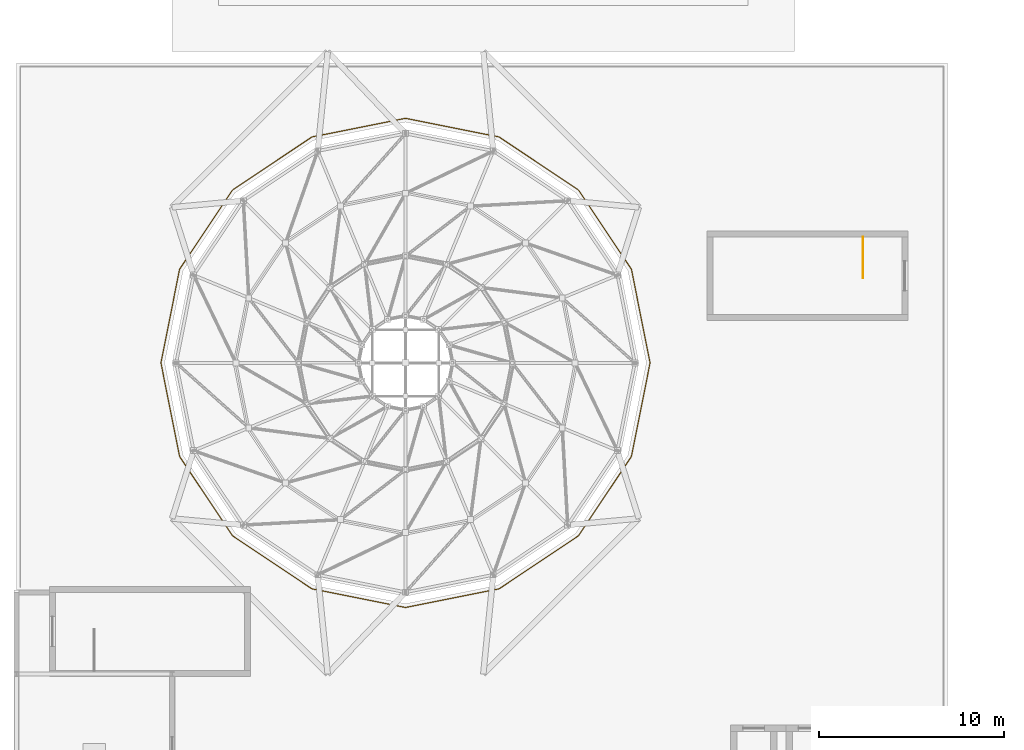
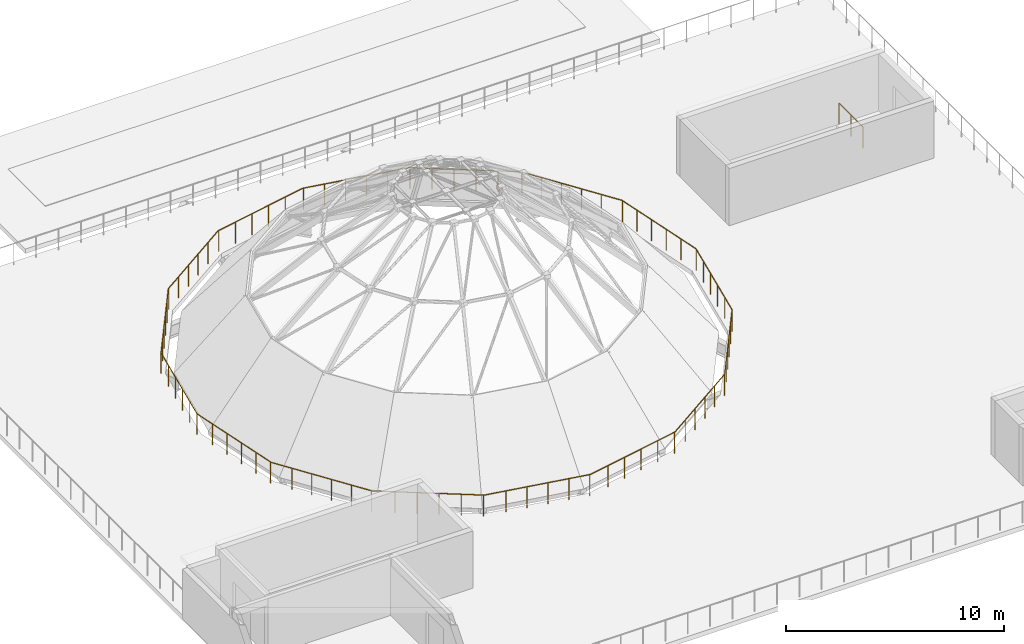
# One storey, part 35 of 40: 2 railings.
"""IFC4 building model written with IfcOpenShell, lengths in metres."""

import ifcopenshell
import ifcopenshell.guid

model = None  # the IFC model being written
_history = None  # IfcOwnerHistory: only IFC2X3 demands one
_inside = {}  # id of a spatial element -> (the spatial element, [elements in it])
_under = {}  # id of a project, library or spatial element -> (it, [spatial elements below it])
_declared = {}  # id of a project -> (the project, [libraries it declares])
_typed = {}  # id of a type object -> (the type object, [elements of that type])
_made_of = {}  # id of a material, layer set ... -> (it, [elements and type objects made of it])


def new_model(schema):
    """Start an empty IFC model of exactly this schema.

    Asked for "IFC4X3", IfcOpenShell would pick the latest addendum, in which some entities
    have other attributes; the version numbers below select the first issue.
    IFC2X3 requires an IfcOwnerHistory on every rooted entity: one is made here for all.
    """
    global model, _history
    if schema == "IFC4X3":
        model = ifcopenshell.file(schema_version=(4, 3, 0, 0))
    else:
        model = ifcopenshell.file(schema=schema)
    _inside.clear()
    _under.clear()
    _declared.clear()
    _typed.clear()
    _made_of.clear()
    _history = None
    if model.schema == "IFC2X3":
        org = make("IfcOrganization", Name="unknown")
        user = make(
            "IfcPersonAndOrganization",
            ThePerson=make("IfcPerson", FamilyName="unknown"),
            TheOrganization=org,
        )
        app = make(
            "IfcApplication",
            ApplicationDeveloper=org,
            Version="unknown",
            ApplicationFullName="unknown",
            ApplicationIdentifier="unknown",
        )
        _history = make(
            "IfcOwnerHistory",
            OwningUser=user,
            OwningApplication=app,
            ChangeAction="ADDED",
            CreationDate=0,
        )
    return model


def make(cls, **values):
    """One entity of the class cls with the attributes given. An attribute that is None is left unset."""
    return model.create_entity(
        cls, **{name: value for name, value in values.items() if value is not None}
    )


def rooted(cls, **values):
    """An entity with a GlobalId (a new one), such as an element, a storey or a relation."""
    return make(cls, GlobalId=ifcopenshell.guid.new(), OwnerHistory=_history, **values)


def si_unit(unit_type, name, prefix=None):
    """IfcSIUnit, for example si_unit("LENGTHUNIT", "METRE", prefix="MILLI")."""
    return make("IfcSIUnit", UnitType=unit_type, Prefix=prefix, Name=name)


def assignment(units):
    """IfcUnitAssignment: the units of a project."""
    return None if units is None else make("IfcUnitAssignment", Units=units)


def point(xyz):
    """IfcCartesianPoint."""
    return None if xyz is None else make("IfcCartesianPoint", Coordinates=xyz)


def direction(xyz):
    """IfcDirection."""
    return None if xyz is None else make("IfcDirection", DirectionRatios=xyz)


def frame(location, z_axis=None, x_axis=None):
    """IfcAxis2Placement3D, a coordinate frame: its origin and axes. An axis left out is left unset."""
    return make(
        "IfcAxis2Placement3D",
        Location=point(location),
        Axis=direction(z_axis),
        RefDirection=direction(x_axis),
    )


def frame_2d(location, x_axis=None):
    """IfcAxis2Placement2D, a coordinate frame in the plane: its origin and x axis."""
    return make(
        "IfcAxis2Placement2D", Location=point(location), RefDirection=direction(x_axis)
    )


def origin():
    """The frame at (0, 0, 0) with its axes left unset."""
    return frame((0.0, 0.0, 0.0))


def origin_2d():
    """The frame at (0, 0) in the plane with its x axis left unset."""
    return frame_2d((0.0, 0.0))


def place(relative_to, where):
    """IfcLocalPlacement: puts the frame where relative to a parent placement (None: the world)."""
    return make(
        "IfcLocalPlacement", PlacementRelTo=relative_to, RelativePlacement=where
    )


def context(
    kind, dimensions, precision=None, world=None, true_north=None, identifier=None
):
    """IfcGeometricRepresentationContext, for example the 3D "Model" context."""
    return make(
        "IfcGeometricRepresentationContext",
        ContextIdentifier=identifier,
        ContextType=kind,
        CoordinateSpaceDimension=dimensions,
        Precision=precision,
        WorldCoordinateSystem=world,
        TrueNorth=true_north,
    )


def subcontext(parent, identifier, kind, view, scale=None):
    """IfcGeometricRepresentationSubContext, for example "Body" below "Model"."""
    return make(
        "IfcGeometricRepresentationSubContext",
        ContextIdentifier=identifier,
        ContextType=kind,
        ParentContext=parent,
        TargetScale=scale,
        TargetView=view,
    )


def project(units=None, contexts=None):
    """IfcProject with its units and contexts."""
    return rooted(
        "IfcProject",
        Name="project",
        RepresentationContexts=contexts,
        UnitsInContext=assignment(units),
    )


def spatial(cls, under=None, at=None, **own):
    """A site, building, storey or space (cls), placed at a placement, below another one or the project."""
    s = rooted(cls, ObjectPlacement=at, **own)
    if under is not None:
        _under.setdefault(under.id(), (under, []))[1].append(s)
    return s


def profile(cls, at=None, kind="AREA", **sizes):
    """A parametric profile (cls). Its sizes go by their IFC names, for example OverallWidth=200.0."""
    return make(cls, ProfileType=kind, Position=at, **sizes)


def circle(**sizes):
    """IfcCircleProfileDef."""
    return profile("IfcCircleProfileDef", **sizes)


def extrude(swept, where, along, depth):
    """IfcExtrudedAreaSolid: the profile swept, set in the frame where, extruded along a direction by depth."""
    return make(
        "IfcExtrudedAreaSolid",
        SweptArea=swept,
        Position=where,
        ExtrudedDirection=direction(along),
        Depth=depth,
    )


def shape(context_of_items, identifier, shape_type, items):
    """IfcShapeRepresentation: the items that make up one representation, for example the "Body"."""
    return make(
        "IfcShapeRepresentation",
        ContextOfItems=context_of_items,
        RepresentationIdentifier=identifier,
        RepresentationType=shape_type,
        Items=items,
    )


def material(Name=None, Category=None):
    """IfcMaterial."""
    return make("IfcMaterial", Name=Name, Category=Category)


def made_of(thing, what):
    """Note that an element or type object is made of a material, layer set ...; save() writes the relation."""
    if what is not None:
        _made_of.setdefault(what.id(), (what, []))[1].append(thing)
    return thing


def type_object(cls, material=None, **own):
    """A type object (cls), such as IfcWallType, which elements share."""
    return made_of(rooted(cls, **own), material)


def element(
    cls,
    number,
    at=None,
    inside=None,
    cuts=None,
    type_object=None,
    material=None,
    context=None,
    identifier="Body",
    shape_type=None,
    held_by="IfcProductDefinitionShape",
    body=None,
    shapes=None,
    **own,
):
    """One element of the class cls, such as IfcWall. Its Tag is "e" and its number.

    at: its placement. inside: the storey or other place that contains it. cuts: it is an
    opening in that element (IfcRelVoidsElement). A single representation is given by context,
    identifier, shape_type and body (its items); several are given by shapes. held_by: the class
    of the entity that holds the representations. save() writes the other relations.
    """
    e = rooted(cls, Tag="e%d" % number, ObjectPlacement=at, **own)
    if body is not None:
        shapes = [shape(context, identifier, shape_type, body)]
    if shapes is not None:
        e.Representation = make(held_by, Representations=shapes)
    if inside is not None:
        _inside.setdefault(inside.id(), (inside, []))[1].append(e)
    if cuts is not None:
        rooted(
            "IfcRelVoidsElement", RelatingBuildingElement=cuts, RelatedOpeningElement=e
        )
    if type_object is not None:
        _typed.setdefault(type_object.id(), (type_object, []))[1].append(e)
    return made_of(e, material)


def aggregate(whole, parts):
    """IfcRelAggregates: a whole, such as a stair, and the parts it consists of."""
    return rooted("IfcRelAggregates", RelatingObject=whole, RelatedObjects=parts)


def save(model, path):
    """Write the relations noted so far, then the file.

    IfcRelAggregates (storeys below a building ...), IfcRelContainedInSpatialStructure (elements
    in a storey), IfcRelDefinesByType, IfcRelAssociatesMaterial and IfcRelDeclares: one each for
    every whole, place, type object, material and project.
    """
    for whole, parts in _under.values():
        aggregate(whole, parts)
    for where, things in _inside.values():
        rooted(
            "IfcRelContainedInSpatialStructure",
            RelatedElements=things,
            RelatingStructure=where,
        )
    for kind, things in _typed.values():
        rooted("IfcRelDefinesByType", RelatedObjects=things, RelatingType=kind)
    for what, things in _made_of.values():
        rooted("IfcRelAssociatesMaterial", RelatedObjects=things, RelatingMaterial=what)
    for by, libraries in _declared.values():
        rooted("IfcRelDeclares", RelatingContext=by, RelatedDefinitions=libraries)
    model.write(path)


model = new_model("IFC4")

# Units and contexts
model_context = context("Model", 3, precision=1e-05, world=origin(), true_north=direction((0.0, 1.0)))
body_context = subcontext(model_context, "Body", "Model", "MODEL_VIEW")
ifc_project = project(units=[si_unit("LENGTHUNIT", "METRE"), si_unit("AREAUNIT", "SQUARE_METRE"), si_unit("VOLUMEUNIT", "CUBIC_METRE"), si_unit("PLANEANGLEUNIT", "RADIAN"), si_unit("MASSUNIT", "GRAM", prefix="KILO"), si_unit("THERMODYNAMICTEMPERATUREUNIT", "KELVIN")], contexts=[model_context])

# Site, building, storey
site_placement = place(None, origin())
site = spatial("IfcSite", under=ifc_project, at=site_placement, CompositionType="ELEMENT")
building_placement = place(site_placement, origin())
building = spatial("IfcBuilding", under=site, at=building_placement, Name="Lustrewick Department Store", CompositionType="ELEMENT")
storey_placement = place(building_placement, frame((0.0, 0.0, 31.800048828125)))
storey = spatial("IfcBuildingStorey", under=building, at=storey_placement, Name="L07", CompositionType="ELEMENT", Elevation=31.800048828125)

# Railings
ifc_material_1 = material(Name="Laminated glass and anodized aluminium guardrail", Category="aluminium")
railing_type_1 = type_object("IfcRailingType", Name="RL-EXT", PredefinedType="GUARDRAIL", material=ifc_material_1)
railing_1_placement = place(storey_placement, frame((41.606689453125, 72.2138671875, 0.0)))
element("IfcRailing", 1, at=railing_1_placement, inside=storey, type_object=railing_type_1, Name="L07 Terrace Perimeter Guardrail 0002", PredefinedType="GUARDRAIL", context=body_context, shape_type="SweptSolid", body=[
    extrude(circle(Radius=0.02392578125, at=origin_2d()), frame((0.0, 0.0, 1.17578125), z_axis=(-0.248375350268, 0.968663866044, 0.0), x_axis=(-0.968663866044, -0.248375350268, 0.0)), (0.0, 0.0, 1.0), 0.019775390625),
    extrude(circle(Radius=0.02392578125, at=origin_2d()), frame((-0.0048828125, 0.01904296875, 1.17578125), z_axis=(-0.334765052353, 0.942301628845, 0.0), x_axis=(-0.942301628845, -0.334765052353, 0.0)), (0.0, 0.0, 1.0), 0.019775390625),
    extrude(circle(Radius=0.02392578125, at=origin_2d()), frame((-0.011474609375, 0.03759765625, 1.17578125), z_axis=(-0.42220553922, 0.906500128324, 0.0), x_axis=(-0.906500128324, -0.42220553922, 0.0)), (0.0, 0.0, 1.0), 0.019775390625),
    extrude(circle(Radius=0.02392578125, at=origin_2d()), frame((-0.019775390625, 0.055419921875, 1.17578125), z_axis=(-0.525492880722, 0.850797997359, 0.0), x_axis=(-0.850797997359, -0.525492880722, 0.0)), (0.0, 0.0, 1.0), 0.01953125),
    extrude(circle(Radius=0.02392578125, at=origin_2d()), frame((-0.030029296875, 0.072021484375, 1.17578125), z_axis=(-0.555544078859, 0.831487087359, 0.0), x_axis=(-0.831487087359, -0.555544078859, 0.0)), (0.0, 0.0, 1.0), 5.072265625),
    extrude(circle(Radius=0.02392578125, at=origin_2d()), frame((-2.847900390625, 4.28955078125, 1.17578125), z_axis=(-0.594043027909, 0.80443326696, 0.0), x_axis=(-0.80443326696, -0.594043027909, 0.0)), (0.0, 0.0, 1.0), 0.019775390625),
    extrude(circle(Radius=0.02392578125, at=origin_2d()), frame((-2.859619140625, 4.305419921875, 1.17578125), z_axis=(-0.675158258765, 0.737672912354, 0.0), x_axis=(-0.737672912354, -0.675158258765, 0.0)), (0.0, 0.0, 1.0), 0.01953125),
    extrude(circle(Radius=0.02392578125, at=origin_2d()), frame((-2.872802734375, 4.31982421875, 1.17578125), z_axis=(-0.737154140201, 0.675724628517, 0.0), x_axis=(-0.675724628517, -0.737154140201, 0.0)), (0.0, 0.0, 1.0), 0.019775390625),
    extrude(circle(Radius=0.02392578125, at=origin_2d()), frame((-2.887451171875, 4.333251953125, 1.17578125), z_axis=(-0.806004429495, 0.59190950291, 0.0), x_axis=(-0.59190950291, -0.806004429495, 0.0)), (0.0, 0.0, 1.0), 0.019287109375),
    extrude(circle(Radius=0.02392578125, at=origin_2d()), frame((-2.903076171875, 4.3447265625, 1.17578125), z_axis=(-0.831464853601, 0.555577354854, 0.0), x_axis=(-0.555577354854, -0.831464853601, 0.0)), (0.0, 0.0, 1.0), 5.072509765625),
    extrude(circle(Radius=0.02392578125, at=origin_2d()), frame((-7.12060546875, 7.162841796875, 1.17578125), z_axis=(-0.859683775425, 0.510826591194, 0.0), x_axis=(-0.510826591194, -0.859683775425, 0.0)), (0.0, 0.0, 1.0), 0.01953125),
    extrude(circle(Radius=0.02392578125, at=origin_2d()), frame((-7.137451171875, 7.1728515625, 1.17578125), z_axis=(-0.901715721272, 0.432329455405, 0.0), x_axis=(-0.432329455405, -0.901715721272, 0.0)), (0.0, 0.0, 1.0), 0.019775390625),
    extrude(circle(Radius=0.02392578125, at=origin_2d()), frame((-7.1552734375, 7.181396484375, 1.17578125), z_axis=(-0.940887411869, 0.338719468273, 0.0), x_axis=(-0.338719468273, -0.940887411869, 0.0)), (0.0, 0.0, 1.0), 0.01953125),
    extrude(circle(Radius=0.02392578125, at=origin_2d()), frame((-7.173583984375, 7.18798828125, 1.17578125), z_axis=(-0.972275475429, 0.233838405483, 0.0), x_axis=(-0.233838405483, -0.972275475429, 0.0)), (0.0, 0.0, 1.0), 0.019775390625),
    extrude(circle(Radius=0.02392578125, at=origin_2d()), frame((-7.19287109375, 7.192626953125, 1.17578125), z_axis=(-0.980778255707, 0.195125634227, 0.0), x_axis=(-0.195125634227, -0.980778255707, 0.0)), (0.0, 0.0, 1.0), 5.072265625),
    extrude(circle(Radius=0.02392578125, at=origin_2d()), frame((-12.167724609375, 8.182373046875, 1.17578125), z_axis=(-0.990444760519, 0.137910029946, 0.0), x_axis=(-0.137910029946, -0.990444760519, 0.0)), (0.0, 0.0, 1.0), 0.01953125),
    extrude(circle(Radius=0.02392578125, at=origin_2d()), frame((-12.18701171875, 8.18505859375, 1.17578125), z_axis=(-0.99878289929, 0.049322612311, 0.0), x_axis=(-0.049322612311, -0.99878289929, 0.0)), (0.0, 0.0, 1.0), 0.019775390625),
    extrude(circle(Radius=0.02392578125, at=origin_2d()), frame((-12.206787109375, 8.18603515625, 1.17578125), z_axis=(-0.998752338878, -0.049937616944, 0.0), x_axis=(0.049937616944, -0.998752338878, 0.0)), (0.0, 0.0, 1.0), 0.01953125),
    extrude(circle(Radius=0.02392578125, at=origin_2d()), frame((-12.226318359375, 8.18505859375, 1.17578125), z_axis=(-0.990444760519, -0.137910029946, 0.0), x_axis=(0.137910029946, -0.990444760519, 0.0)), (0.0, 0.0, 1.0), 0.01953125),
    extrude(circle(Radius=0.02392578125, at=origin_2d()), frame((-12.24560546875, 8.182373046875, 1.17578125), z_axis=(-0.980780088142, -0.195116423463, 0.0), x_axis=(0.195116423463, -0.980780088142, 0.0)), (0.0, 0.0, 1.0), 5.072509765625),
    extrude(circle(Radius=0.02392578125, at=origin_2d()), frame((-17.220703125, 7.192626953125, 1.17578125), z_axis=(-0.971590236302, -0.236669416535, 0.0), x_axis=(0.236669416535, -0.971590236302, 0.0)), (0.0, 0.0, 1.0), 0.01953125),
    extrude(circle(Radius=0.02392578125, at=origin_2d()), frame((-17.23974609375, 7.18798828125, 1.17578125), z_axis=(-0.940887411869, -0.338719468273, 0.0), x_axis=(0.338719468273, -0.940887411869, 0.0)), (0.0, 0.0, 1.0), 0.01953125),
    extrude(circle(Radius=0.02392578125, at=origin_2d()), frame((-17.258056640625, 7.181396484375, 1.17578125), z_axis=(-0.901715721272, -0.432329455405, 0.0), x_axis=(0.432329455405, -0.901715721272, 0.0)), (0.0, 0.0, 1.0), 0.019775390625),
    extrude(circle(Radius=0.02392578125, at=origin_2d()), frame((-17.27587890625, 7.1728515625, 1.17578125), z_axis=(-0.859683775425, -0.510826591194, 0.0), x_axis=(0.510826591194, -0.859683775425, 0.0)), (0.0, 0.0, 1.0), 0.01953125),
    extrude(circle(Radius=0.02392578125, at=origin_2d()), frame((-17.292724609375, 7.162841796875, 1.17578125), z_axis=(-0.831464853601, -0.555577354854, 0.0), x_axis=(0.555577354854, -0.831464853601, 0.0)), (0.0, 0.0, 1.0), 5.072509765625),
    extrude(circle(Radius=0.02392578125, at=origin_2d()), frame((-21.51025390625, 4.3447265625, 1.17578125), z_axis=(-0.806004429495, -0.59190950291, 0.0), x_axis=(0.59190950291, -0.806004429495, 0.0)), (0.0, 0.0, 1.0), 0.019287109375),
    extrude(circle(Radius=0.02392578125, at=origin_2d()), frame((-21.52587890625, 4.333251953125, 1.17578125), z_axis=(-0.737154140201, -0.675724628517, 0.0), x_axis=(0.675724628517, -0.737154140201, 0.0)), (0.0, 0.0, 1.0), 0.019775390625),
    extrude(circle(Radius=0.02392578125, at=origin_2d()), frame((-21.54052734375, 4.31982421875, 1.17578125), z_axis=(-0.675158258765, -0.737672912354, 0.0), x_axis=(0.737672912354, -0.675158258765, 0.0)), (0.0, 0.0, 1.0), 0.01953125),
    extrude(circle(Radius=0.02392578125, at=origin_2d()), frame((-21.5537109375, 4.305419921875, 1.17578125), z_axis=(-0.594043027909, -0.80443326696, 0.0), x_axis=(0.80443326696, -0.594043027909, 0.0)), (0.0, 0.0, 1.0), 0.019775390625),
    extrude(circle(Radius=0.02392578125, at=origin_2d()), frame((-21.5654296875, 4.28955078125, 1.17578125), z_axis=(-0.555544078859, -0.831487087359, 0.0), x_axis=(0.831487087359, -0.555544078859, 0.0)), (0.0, 0.0, 1.0), 5.072265625),
    extrude(circle(Radius=0.02392578125, at=origin_2d()), frame((-24.38330078125, 0.072021484375, 1.17578125), z_axis=(-0.525492880722, -0.850797997359, 0.0), x_axis=(0.850797997359, -0.525492880722, 0.0)), (0.0, 0.0, 1.0), 0.01953125),
    extrude(circle(Radius=0.02392578125, at=origin_2d()), frame((-24.3935546875, 0.055419921875, 1.17578125), z_axis=(-0.42220553922, -0.906500128324, 0.0), x_axis=(0.906500128324, -0.42220553922, 0.0)), (0.0, 0.0, 1.0), 0.019775390625),
    extrude(circle(Radius=0.02392578125, at=origin_2d()), frame((-24.40185546875, 0.03759765625, 1.17578125), z_axis=(-0.334765052353, -0.942301628845, 0.0), x_axis=(0.942301628845, -0.334765052353, 0.0)), (0.0, 0.0, 1.0), 0.019775390625),
    extrude(circle(Radius=0.02392578125, at=origin_2d()), frame((-24.408447265625, 0.01904296875, 1.17578125), z_axis=(-0.248375350268, -0.968663866044, 0.0), x_axis=(0.968663866044, -0.248375350268, 0.0)), (0.0, 0.0, 1.0), 0.019775390625),
    extrude(circle(Radius=0.02392578125, at=origin_2d()), frame((-24.413330078125, 0.0, 1.17578125), z_axis=(-0.195079334507, -0.980787465891, 0.0), x_axis=(0.980787465891, -0.195079334507, 0.0)), (0.0, 0.0, 1.0), 5.072265625),
    extrude(circle(Radius=0.02392578125, at=origin_2d()), frame((-25.40283203125, -4.974853515625, 1.17578125), z_axis=(-0.14834045293, -0.988936352868, 0.0), x_axis=(0.988936352868, -0.14834045293, 0.0)), (0.0, 0.0, 1.0), 0.019775390625),
    extrude(circle(Radius=0.02392578125, at=origin_2d()), frame((-25.40576171875, -4.994384765625, 1.17578125), z_axis=(-0.049937616944, -0.998752338878, 0.0), x_axis=(0.998752338878, -0.049937616944, 0.0)), (0.0, 0.0, 1.0), 0.01953125),
    extrude(circle(Radius=0.02392578125, at=origin_2d()), frame((-25.40673828125, -5.013916015625, 1.17578125), z_axis=(0.049937616944, -0.998752338878, 0.0), x_axis=(0.998752338878, 0.049937616944, 0.0)), (0.0, 0.0, 1.0), 0.01953125),
    extrude(circle(Radius=0.02392578125, at=origin_2d()), frame((-25.40576171875, -5.033447265625, 1.17578125), z_axis=(0.14834045293, -0.988936352868, 0.0), x_axis=(0.988936352868, 0.14834045293, 0.0)), (0.0, 0.0, 1.0), 0.019775390625),
    extrude(circle(Radius=0.02392578125, at=origin_2d()), frame((-25.40283203125, -5.052978515625, 1.17578125), z_axis=(0.195079334507, -0.980787465891, 0.0), x_axis=(0.980787465891, 0.195079334507, 0.0)), (0.0, 0.0, 1.0), 5.072265625),
    extrude(circle(Radius=0.02392578125, at=origin_2d()), frame((-24.413330078125, -10.02783203125, 1.17578125), z_axis=(0.248375350268, -0.968663866044, 0.0), x_axis=(0.968663866044, 0.248375350268, 0.0)), (0.0, 0.0, 1.0), 0.019775390625),
    extrude(circle(Radius=0.02392578125, at=origin_2d()), frame((-24.408447265625, -10.046875, 1.17578125), z_axis=(0.338719468273, -0.940887411869, 0.0), x_axis=(0.940887411869, 0.338719468273, 0.0)), (0.0, 0.0, 1.0), 0.01953125),
    extrude(circle(Radius=0.02392578125, at=origin_2d()), frame((-24.40185546875, -10.065185546875, 1.17578125), z_axis=(0.42220553922, -0.906500128324, 0.0), x_axis=(0.906500128324, 0.42220553922, 0.0)), (0.0, 0.0, 1.0), 0.019775390625),
    extrude(circle(Radius=0.02392578125, at=origin_2d()), frame((-24.3935546875, -10.0830078125, 1.17578125), z_axis=(0.519946946896, -0.854198555614, 0.0), x_axis=(0.854198555614, 0.519946946896, 0.0)), (0.0, 0.0, 1.0), 0.019775390625),
    extrude(circle(Radius=0.02392578125, at=origin_2d()), frame((-24.38330078125, -10.099853515625, 1.17578125), z_axis=(0.555544078859, -0.831487087359, 0.0), x_axis=(0.831487087359, 0.555544078859, 0.0)), (0.0, 0.0, 1.0), 5.072265625),
    extrude(circle(Radius=0.02392578125, at=origin_2d()), frame((-21.5654296875, -14.3173828125, 1.17578125), z_axis=(0.594043027909, -0.80443326696, 0.0), x_axis=(0.80443326696, 0.594043027909, 0.0)), (0.0, 0.0, 1.0), 0.019775390625),
    extrude(circle(Radius=0.02392578125, at=origin_2d()), frame((-21.5537109375, -14.333251953125, 1.17578125), z_axis=(0.675158258765, -0.737672912354, 0.0), x_axis=(0.737672912354, 0.675158258765, 0.0)), (0.0, 0.0, 1.0), 0.01953125),
    extrude(circle(Radius=0.02392578125, at=origin_2d()), frame((-21.54052734375, -14.34765625, 1.17578125), z_axis=(0.743294146247, -0.668964731622, 0.0), x_axis=(0.668964731622, 0.743294146247, 0.0)), (0.0, 0.0, 1.0), 0.019775390625),
    extrude(circle(Radius=0.02392578125, at=origin_2d()), frame((-21.52587890625, -14.36083984375, 1.17578125), z_axis=(0.8, -0.6, 0.0), x_axis=(0.6, 0.8, 0.0)), (0.0, 0.0, 1.0), 0.01953125),
    extrude(circle(Radius=0.02392578125, at=origin_2d()), frame((-21.51025390625, -14.37255859375, 1.17578125), z_axis=(0.831464853601, -0.555577354854, 0.0), x_axis=(0.555577354854, 0.831464853601, 0.0)), (0.0, 0.0, 1.0), 5.072509765625),
    extrude(circle(Radius=0.02392578125, at=origin_2d()), frame((-17.292724609375, -17.190673828125, 1.17578125), z_axis=(0.859683775425, -0.510826591194, 0.0), x_axis=(0.510826591194, 0.859683775425, 0.0)), (0.0, 0.0, 1.0), 0.01953125),
    extrude(circle(Radius=0.02392578125, at=origin_2d()), frame((-17.27587890625, -17.20068359375, 1.17578125), z_axis=(0.906500128324, -0.42220553922, 0.0), x_axis=(0.42220553922, 0.906500128324, 0.0)), (0.0, 0.0, 1.0), 0.019775390625),
    extrude(circle(Radius=0.02392578125, at=origin_2d()), frame((-17.258056640625, -17.208984375, 1.17578125), z_axis=(0.940887411869, -0.338719468273, 0.0), x_axis=(0.338719468273, 0.940887411869, 0.0)), (0.0, 0.0, 1.0), 0.01953125),
    extrude(circle(Radius=0.02392578125, at=origin_2d()), frame((-17.23974609375, -17.215576171875, 1.17578125), z_axis=(0.968663866044, -0.248375350268, 0.0), x_axis=(0.248375350268, 0.968663866044, 0.0)), (0.0, 0.0, 1.0), 0.019775390625),
    extrude(circle(Radius=0.02392578125, at=origin_2d()), frame((-17.220703125, -17.220458984375, 1.17578125), z_axis=(0.980789297473, -0.195070125756, 0.0), x_axis=(0.195070125756, 0.980789297473, 0.0)), (0.0, 0.0, 1.0), 5.072509765625),
    extrude(circle(Radius=0.02392578125, at=origin_2d()), frame((-12.24560546875, -18.2099609375, 1.17578125), z_axis=(0.988659264731, -0.150176090845, 0.0), x_axis=(0.150176090845, 0.988659264731, 0.0)), (0.0, 0.0, 1.0), 0.01953125),
    extrude(circle(Radius=0.02392578125, at=origin_2d()), frame((-12.226318359375, -18.212890625, 1.17578125), z_axis=(0.998752338878, -0.049937616944, 0.0), x_axis=(0.049937616944, 0.998752338878, 0.0)), (0.0, 0.0, 1.0), 0.01953125),
    extrude(circle(Radius=0.02392578125, at=origin_2d()), frame((-12.206787109375, -18.2138671875, 1.17578125), z_axis=(0.99878289929, 0.049322612311, 0.0), x_axis=(-0.049322612311, 0.99878289929, 0.0)), (0.0, 0.0, 1.0), 0.019775390625),
    extrude(circle(Radius=0.02392578125, at=origin_2d()), frame((-12.18701171875, -18.212890625, 1.17578125), z_axis=(0.988659264731, 0.150176090845, 0.0), x_axis=(-0.150176090845, 0.988659264731, 0.0)), (0.0, 0.0, 1.0), 0.01953125),
    extrude(circle(Radius=0.02392578125, at=origin_2d()), frame((-12.167724609375, -18.2099609375, 1.17578125), z_axis=(0.980787465891, 0.195079334507, 0.0), x_axis=(-0.195079334507, 0.980787465891, 0.0)), (0.0, 0.0, 1.0), 5.072265625),
    extrude(circle(Radius=0.02392578125, at=origin_2d()), frame((-7.19287109375, -17.220458984375, 1.17578125), z_axis=(0.969416374533, 0.24542186697, 0.0), x_axis=(-0.24542186697, 0.969416374533, 0.0)), (0.0, 0.0, 1.0), 0.019775390625),
    extrude(circle(Radius=0.02392578125, at=origin_2d()), frame((-7.173583984375, -17.215576171875, 1.17578125), z_axis=(0.940887411869, 0.338719468273, 0.0), x_axis=(-0.338719468273, 0.940887411869, 0.0)), (0.0, 0.0, 1.0), 0.01953125),
    extrude(circle(Radius=0.02392578125, at=origin_2d()), frame((-7.1552734375, -17.208984375, 1.17578125), z_axis=(0.906500128324, 0.42220553922, 0.0), x_axis=(-0.42220553922, 0.906500128324, 0.0)), (0.0, 0.0, 1.0), 0.019775390625),
    extrude(circle(Radius=0.02392578125, at=origin_2d()), frame((-7.137451171875, -17.20068359375, 1.17578125), z_axis=(0.859683775425, 0.510826591194, 0.0), x_axis=(-0.510826591194, 0.859683775425, 0.0)), (0.0, 0.0, 1.0), 0.01953125),
    extrude(circle(Radius=0.02392578125, at=origin_2d()), frame((-7.12060546875, -17.190673828125, 1.17578125), z_axis=(0.831464853601, 0.555577354854, 0.0), x_axis=(-0.555577354854, 0.831464853601, 0.0)), (0.0, 0.0, 1.0), 5.072509765625),
    extrude(circle(Radius=0.02392578125, at=origin_2d()), frame((-2.903076171875, -14.37255859375, 1.17578125), z_axis=(0.8, 0.6, 0.0), x_axis=(-0.6, 0.8, 0.0)), (0.0, 0.0, 1.0), 0.01953125),
    extrude(circle(Radius=0.02392578125, at=origin_2d()), frame((-2.887451171875, -14.36083984375, 1.17578125), z_axis=(0.743294146247, 0.668964731622, 0.0), x_axis=(-0.668964731622, 0.743294146247, 0.0)), (0.0, 0.0, 1.0), 0.019775390625),
    extrude(circle(Radius=0.02392578125, at=origin_2d()), frame((-2.872802734375, -14.34765625, 1.17578125), z_axis=(0.675158258765, 0.737672912354, 0.0), x_axis=(-0.737672912354, 0.675158258765, 0.0)), (0.0, 0.0, 1.0), 0.01953125),
    extrude(circle(Radius=0.02392578125, at=origin_2d()), frame((-2.859619140625, -14.333251953125, 1.17578125), z_axis=(0.594043027909, 0.80443326696, 0.0), x_axis=(-0.80443326696, 0.594043027909, 0.0)), (0.0, 0.0, 1.0), 0.019775390625),
    extrude(circle(Radius=0.02392578125, at=origin_2d()), frame((-2.847900390625, -14.3173828125, 1.17578125), z_axis=(0.555544078859, 0.831487087359, 0.0), x_axis=(-0.831487087359, 0.555544078859, 0.0)), (0.0, 0.0, 1.0), 5.072265625),
    extrude(circle(Radius=0.02392578125, at=origin_2d()), frame((-0.030029296875, -10.099853515625, 1.17578125), z_axis=(0.519946946896, 0.854198555614, 0.0), x_axis=(-0.854198555614, 0.519946946896, 0.0)), (0.0, 0.0, 1.0), 0.019775390625),
    extrude(circle(Radius=0.02392578125, at=origin_2d()), frame((-0.019775390625, -10.0830078125, 1.17578125), z_axis=(0.42220553922, 0.906500128324, 0.0), x_axis=(-0.906500128324, 0.42220553922, 0.0)), (0.0, 0.0, 1.0), 0.019775390625),
    extrude(circle(Radius=0.02392578125, at=origin_2d()), frame((-0.011474609375, -10.065185546875, 1.17578125), z_axis=(0.338719468273, 0.940887411869, 0.0), x_axis=(-0.940887411869, 0.338719468273, 0.0)), (0.0, 0.0, 1.0), 0.01953125),
    extrude(circle(Radius=0.02392578125, at=origin_2d()), frame((-0.0048828125, -10.046875, 1.17578125), z_axis=(0.248375350268, 0.968663866044, 0.0), x_axis=(-0.968663866044, 0.248375350268, 0.0)), (0.0, 0.0, 1.0), 0.019775390625),
    extrude(circle(Radius=0.02392578125, at=origin_2d()), frame((0.0, -10.02783203125, 1.17578125), z_axis=(0.195079334507, 0.980787465891, 0.0), x_axis=(-0.980787465891, 0.195079334507, 0.0)), (0.0, 0.0, 1.0), 5.072265625),
    extrude(circle(Radius=0.02392578125, at=origin_2d()), frame((0.989501953125, -5.052978515625, 1.17578125), z_axis=(0.14834045293, 0.988936352868, 0.0), x_axis=(-0.988936352868, 0.14834045293, 0.0)), (0.0, 0.0, 1.0), 0.019775390625),
    extrude(circle(Radius=0.02392578125, at=origin_2d()), frame((0.992431640625, -5.033447265625, 1.17578125), z_axis=(0.049937616944, 0.998752338878, 0.0), x_axis=(-0.998752338878, 0.049937616944, 0.0)), (0.0, 0.0, 1.0), 0.01953125),
    extrude(circle(Radius=0.02392578125, at=origin_2d()), frame((0.993408203125, -5.013916015625, 1.17578125), z_axis=(-0.049937616944, 0.998752338878, 0.0), x_axis=(-0.998752338878, -0.049937616944, 0.0)), (0.0, 0.0, 1.0), 0.01953125),
    extrude(circle(Radius=0.02392578125, at=origin_2d()), frame((0.992431640625, -4.994384765625, 1.17578125), z_axis=(-0.14834045293, 0.988936352868, 0.0), x_axis=(-0.988936352868, -0.14834045293, 0.0)), (0.0, 0.0, 1.0), 0.019775390625),
    extrude(circle(Radius=0.02392578125, at=origin_2d()), frame((0.989501953125, -4.974853515625, 1.17578125), z_axis=(-0.195079334507, 0.980787465891, 0.0), x_axis=(-0.980787465891, -0.195079334507, 0.0)), (0.0, 0.0, 1.0), 5.072265625),
    extrude(circle(Radius=0.02099609375, at=origin_2d()), origin(), (0.0, 0.0, 1.0), 1.15185546875),
    extrude(circle(Radius=0.02099609375, at=origin_2d()), frame((-0.593505859375, 0.91552734375, 0.0)), (0.0, 0.0, 1.0), 1.15185546875),
    extrude(circle(Radius=0.02099609375, at=origin_2d()), frame((-1.1572265625, 1.759033203125, 0.0)), (0.0, 0.0, 1.0), 1.15185546875),
    extrude(circle(Radius=0.02099609375, at=origin_2d()), frame((-1.720703125, 2.6025390625, 0.0)), (0.0, 0.0, 1.0), 1.15185546875),
    extrude(circle(Radius=0.02099609375, at=origin_2d()), frame((-2.284423828125, 3.446044921875, 0.0)), (0.0, 0.0, 1.0), 1.15185546875),
    extrude(circle(Radius=0.02099609375, at=origin_2d()), frame((-2.847900390625, 4.28955078125, 0.0)), (0.0, 0.0, 1.0), 1.15185546875),
    extrude(circle(Radius=0.02099609375, at=origin_2d()), frame((-3.74658203125, 4.908447265625, 0.0)), (0.0, 0.0, 1.0), 1.15185546875),
    extrude(circle(Radius=0.02099609375, at=origin_2d()), frame((-4.590087890625, 5.471923828125, 0.0)), (0.0, 0.0, 1.0), 1.15185546875),
    extrude(circle(Radius=0.02099609375, at=origin_2d()), frame((-5.43359375, 6.03564453125, 0.0)), (0.0, 0.0, 1.0), 1.15185546875),
    extrude(circle(Radius=0.02099609375, at=origin_2d()), frame((-6.277099609375, 6.59912109375, 0.0)), (0.0, 0.0, 1.0), 1.15185546875),
    extrude(circle(Radius=0.02099609375, at=origin_2d()), frame((-7.12060546875, 7.162841796875, 0.0)), (0.0, 0.0, 1.0), 1.15185546875),
    extrude(circle(Radius=0.02099609375, at=origin_2d()), frame((-8.187744140625, 7.390625, 0.0)), (0.0, 0.0, 1.0), 1.15185546875),
    extrude(circle(Radius=0.02099609375, at=origin_2d()), frame((-9.182861328125, 7.588623046875, 0.0)), (0.0, 0.0, 1.0), 1.15185546875),
    extrude(circle(Radius=0.02099609375, at=origin_2d()), frame((-10.177734375, 7.786376953125, 0.0)), (0.0, 0.0, 1.0), 1.15185546875),
    extrude(circle(Radius=0.02099609375, at=origin_2d()), frame((-11.1728515625, 7.984375, 0.0)), (0.0, 0.0, 1.0), 1.15185546875),
    extrude(circle(Radius=0.02099609375, at=origin_2d()), frame((-12.167724609375, 8.182373046875, 0.0)), (0.0, 0.0, 1.0), 1.15185546875),
    extrude(circle(Radius=0.02099609375, at=origin_2d()), frame((-13.24072265625, 7.984375, 0.0)), (0.0, 0.0, 1.0), 1.15185546875),
    extrude(circle(Radius=0.02099609375, at=origin_2d()), frame((-14.235595703125, 7.786376953125, 0.0)), (0.0, 0.0, 1.0), 1.15185546875),
    extrude(circle(Radius=0.02099609375, at=origin_2d()), frame((-15.230712890625, 7.588623046875, 0.0)), (0.0, 0.0, 1.0), 1.15185546875),
    extrude(circle(Radius=0.02099609375, at=origin_2d()), frame((-16.2255859375, 7.390625, 0.0)), (0.0, 0.0, 1.0), 1.15185546875),
    extrude(circle(Radius=0.02099609375, at=origin_2d()), frame((-17.220703125, 7.192626953125, 0.0)), (0.0, 0.0, 1.0), 1.15185546875),
    extrude(circle(Radius=0.02099609375, at=origin_2d()), frame((-18.13623046875, 6.59912109375, 0.0)), (0.0, 0.0, 1.0), 1.15185546875),
    extrude(circle(Radius=0.02099609375, at=origin_2d()), frame((-18.979736328125, 6.03564453125, 0.0)), (0.0, 0.0, 1.0), 1.15185546875),
    extrude(circle(Radius=0.02099609375, at=origin_2d()), frame((-19.8232421875, 5.471923828125, 0.0)), (0.0, 0.0, 1.0), 1.15185546875),
    extrude(circle(Radius=0.02099609375, at=origin_2d()), frame((-20.666748046875, 4.908447265625, 0.0)), (0.0, 0.0, 1.0), 1.15185546875),
    extrude(circle(Radius=0.02099609375, at=origin_2d()), frame((-21.51025390625, 4.3447265625, 0.0)), (0.0, 0.0, 1.0), 1.15185546875),
    extrude(circle(Radius=0.02099609375, at=origin_2d()), frame((-22.12890625, 3.446044921875, 0.0)), (0.0, 0.0, 1.0), 1.15185546875),
    extrude(circle(Radius=0.02099609375, at=origin_2d()), frame((-22.692626953125, 2.6025390625, 0.0)), (0.0, 0.0, 1.0), 1.15185546875),
    extrude(circle(Radius=0.02099609375, at=origin_2d()), frame((-23.256103515625, 1.759033203125, 0.0)), (0.0, 0.0, 1.0), 1.15185546875),
    extrude(circle(Radius=0.02099609375, at=origin_2d()), frame((-23.81982421875, 0.91552734375, 0.0)), (0.0, 0.0, 1.0), 1.15185546875),
    extrude(circle(Radius=0.02099609375, at=origin_2d()), frame((-24.38330078125, 0.072021484375, 0.0)), (0.0, 0.0, 1.0), 1.15185546875),
    extrude(circle(Radius=0.02099609375, at=origin_2d()), frame((-24.611328125, -0.994873046875, 0.0)), (0.0, 0.0, 1.0), 1.15185546875),
    extrude(circle(Radius=0.02099609375, at=origin_2d()), frame((-24.80908203125, -1.989990234375, 0.0)), (0.0, 0.0, 1.0), 1.15185546875),
    extrude(circle(Radius=0.02099609375, at=origin_2d()), frame((-25.007080078125, -2.98486328125, 0.0)), (0.0, 0.0, 1.0), 1.15185546875),
    extrude(circle(Radius=0.02099609375, at=origin_2d()), frame((-25.204833984375, -3.97998046875, 0.0)), (0.0, 0.0, 1.0), 1.15185546875),
    extrude(circle(Radius=0.02099609375, at=origin_2d()), frame((-25.40283203125, -4.974853515625, 0.0)), (0.0, 0.0, 1.0), 1.15185546875),
    extrude(circle(Radius=0.02099609375, at=origin_2d()), frame((-25.204833984375, -6.0478515625, 0.0)), (0.0, 0.0, 1.0), 1.15185546875),
    extrude(circle(Radius=0.02099609375, at=origin_2d()), frame((-25.007080078125, -7.04296875, 0.0)), (0.0, 0.0, 1.0), 1.15185546875),
    extrude(circle(Radius=0.02099609375, at=origin_2d()), frame((-24.80908203125, -8.037841796875, 0.0)), (0.0, 0.0, 1.0), 1.15185546875),
    extrude(circle(Radius=0.02099609375, at=origin_2d()), frame((-24.611328125, -9.032958984375, 0.0)), (0.0, 0.0, 1.0), 1.15185546875),
    extrude(circle(Radius=0.02099609375, at=origin_2d()), frame((-24.413330078125, -10.02783203125, 0.0)), (0.0, 0.0, 1.0), 1.15185546875),
    extrude(circle(Radius=0.02099609375, at=origin_2d()), frame((-23.81982421875, -10.943359375, 0.0)), (0.0, 0.0, 1.0), 1.15185546875),
    extrude(circle(Radius=0.02099609375, at=origin_2d()), frame((-23.256103515625, -11.786865234375, 0.0)), (0.0, 0.0, 1.0), 1.15185546875),
    extrude(circle(Radius=0.02099609375, at=origin_2d()), frame((-22.692626953125, -12.63037109375, 0.0)), (0.0, 0.0, 1.0), 1.15185546875),
    extrude(circle(Radius=0.02099609375, at=origin_2d()), frame((-22.12890625, -13.473876953125, 0.0)), (0.0, 0.0, 1.0), 1.15185546875),
    extrude(circle(Radius=0.02099609375, at=origin_2d()), frame((-21.5654296875, -14.3173828125, 0.0)), (0.0, 0.0, 1.0), 1.15185546875),
    extrude(circle(Radius=0.02099609375, at=origin_2d()), frame((-20.666748046875, -14.936279296875, 0.0)), (0.0, 0.0, 1.0), 1.15185546875),
    extrude(circle(Radius=0.02099609375, at=origin_2d()), frame((-19.8232421875, -15.499755859375, 0.0)), (0.0, 0.0, 1.0), 1.15185546875),
    extrude(circle(Radius=0.02099609375, at=origin_2d()), frame((-18.979736328125, -16.0634765625, 0.0)), (0.0, 0.0, 1.0), 1.15185546875),
    extrude(circle(Radius=0.02099609375, at=origin_2d()), frame((-18.13623046875, -16.626953125, 0.0)), (0.0, 0.0, 1.0), 1.15185546875),
    extrude(circle(Radius=0.02099609375, at=origin_2d()), frame((-17.292724609375, -17.190673828125, 0.0)), (0.0, 0.0, 1.0), 1.15185546875),
    extrude(circle(Radius=0.02099609375, at=origin_2d()), frame((-16.2255859375, -17.41845703125, 0.0)), (0.0, 0.0, 1.0), 1.15185546875),
    extrude(circle(Radius=0.02099609375, at=origin_2d()), frame((-15.230712890625, -17.6162109375, 0.0)), (0.0, 0.0, 1.0), 1.15185546875),
    extrude(circle(Radius=0.02099609375, at=origin_2d()), frame((-14.235595703125, -17.814208984375, 0.0)), (0.0, 0.0, 1.0), 1.15185546875),
    extrude(circle(Radius=0.02099609375, at=origin_2d()), frame((-13.24072265625, -18.011962890625, 0.0)), (0.0, 0.0, 1.0), 1.15185546875),
    extrude(circle(Radius=0.02099609375, at=origin_2d()), frame((-12.24560546875, -18.2099609375, 0.0)), (0.0, 0.0, 1.0), 1.15185546875),
    extrude(circle(Radius=0.02099609375, at=origin_2d()), frame((-11.1728515625, -18.011962890625, 0.0)), (0.0, 0.0, 1.0), 1.15185546875),
    extrude(circle(Radius=0.02099609375, at=origin_2d()), frame((-10.177734375, -17.814208984375, 0.0)), (0.0, 0.0, 1.0), 1.15185546875),
    extrude(circle(Radius=0.02099609375, at=origin_2d()), frame((-9.182861328125, -17.6162109375, 0.0)), (0.0, 0.0, 1.0), 1.15185546875),
    extrude(circle(Radius=0.02099609375, at=origin_2d()), frame((-8.187744140625, -17.41845703125, 0.0)), (0.0, 0.0, 1.0), 1.15185546875),
    extrude(circle(Radius=0.02099609375, at=origin_2d()), frame((-7.19287109375, -17.220458984375, 0.0)), (0.0, 0.0, 1.0), 1.15185546875),
    extrude(circle(Radius=0.02099609375, at=origin_2d()), frame((-6.277099609375, -16.626953125, 0.0)), (0.0, 0.0, 1.0), 1.15185546875),
    extrude(circle(Radius=0.02099609375, at=origin_2d()), frame((-5.43359375, -16.0634765625, 0.0)), (0.0, 0.0, 1.0), 1.15185546875),
    extrude(circle(Radius=0.02099609375, at=origin_2d()), frame((-4.590087890625, -15.499755859375, 0.0)), (0.0, 0.0, 1.0), 1.15185546875),
    extrude(circle(Radius=0.02099609375, at=origin_2d()), frame((-3.74658203125, -14.936279296875, 0.0)), (0.0, 0.0, 1.0), 1.15185546875),
    extrude(circle(Radius=0.02099609375, at=origin_2d()), frame((-2.903076171875, -14.37255859375, 0.0)), (0.0, 0.0, 1.0), 1.15185546875),
    extrude(circle(Radius=0.02099609375, at=origin_2d()), frame((-2.284423828125, -13.473876953125, 0.0)), (0.0, 0.0, 1.0), 1.15185546875),
    extrude(circle(Radius=0.02099609375, at=origin_2d()), frame((-1.720703125, -12.63037109375, 0.0)), (0.0, 0.0, 1.0), 1.15185546875),
    extrude(circle(Radius=0.02099609375, at=origin_2d()), frame((-1.1572265625, -11.786865234375, 0.0)), (0.0, 0.0, 1.0), 1.15185546875),
    extrude(circle(Radius=0.02099609375, at=origin_2d()), frame((-0.593505859375, -10.943359375, 0.0)), (0.0, 0.0, 1.0), 1.15185546875),
    extrude(circle(Radius=0.02099609375, at=origin_2d()), frame((-0.030029296875, -10.099853515625, 0.0)), (0.0, 0.0, 1.0), 1.15185546875),
    extrude(circle(Radius=0.02099609375, at=origin_2d()), frame((0.197998046875, -9.032958984375, 0.0)), (0.0, 0.0, 1.0), 1.15185546875),
    extrude(circle(Radius=0.02099609375, at=origin_2d()), frame((0.395751953125, -8.037841796875, 0.0)), (0.0, 0.0, 1.0), 1.15185546875),
    extrude(circle(Radius=0.02099609375, at=origin_2d()), frame((0.59375, -7.04296875, 0.0)), (0.0, 0.0, 1.0), 1.15185546875),
    extrude(circle(Radius=0.02099609375, at=origin_2d()), frame((0.79150390625, -6.0478515625, 0.0)), (0.0, 0.0, 1.0), 1.15185546875),
    extrude(circle(Radius=0.02099609375, at=origin_2d()), frame((0.989501953125, -5.052978515625, 0.0)), (0.0, 0.0, 1.0), 1.15185546875),
    extrude(circle(Radius=0.02099609375, at=origin_2d()), frame((0.79150390625, -3.97998046875, 0.0)), (0.0, 0.0, 1.0), 1.15185546875),
    extrude(circle(Radius=0.02099609375, at=origin_2d()), frame((0.59375, -2.98486328125, 0.0)), (0.0, 0.0, 1.0), 1.15185546875),
    extrude(circle(Radius=0.02099609375, at=origin_2d()), frame((0.395751953125, -1.989990234375, 0.0)), (0.0, 0.0, 1.0), 1.15185546875),
    extrude(circle(Radius=0.02099609375, at=origin_2d()), frame((0.197998046875, -0.994873046875, 0.0)), (0.0, 0.0, 1.0), 1.15185546875),
])
ifc_material_2 = material(Name="Painted tubular steel stairwell guardrail", Category="steel")
railing_type_2 = type_object("IfcRailingType", Name="RL-STG", PredefinedType="GUARDRAIL", material=ifc_material_2)
railing_2_placement = place(storey_placement, frame((54.10009765625, 74.0, 0.0)))
element("IfcRailing", 2, at=railing_2_placement, inside=storey, type_object=railing_type_2, Name="L07 ST02 Top Well Guard 1", PredefinedType="GUARDRAIL", context=body_context, shape_type="SweptSolid", body=[
    extrude(circle(Radius=0.02392578125, at=origin_2d()), frame((0.0, 0.0, 1.17578125), z_axis=(0.0, -1.0, 0.0), x_axis=(1.0, 0.0, 0.0)), (0.0, 0.0, 1.0), 2.199951171875),
    extrude(circle(Radius=0.02099609375, at=origin_2d()), origin(), (0.0, 0.0, 1.0), 1.15185546875),
    extrude(circle(Radius=0.02099609375, at=origin_2d()), frame((0.0, -1.10009765625, 0.0)), (0.0, 0.0, 1.0), 1.15185546875),
    extrude(circle(Radius=0.02099609375, at=origin_2d()), frame((0.0, -2.199951171875, 0.0)), (0.0, 0.0, 1.0), 1.15185546875),
])

save(model, "model.ifc")
